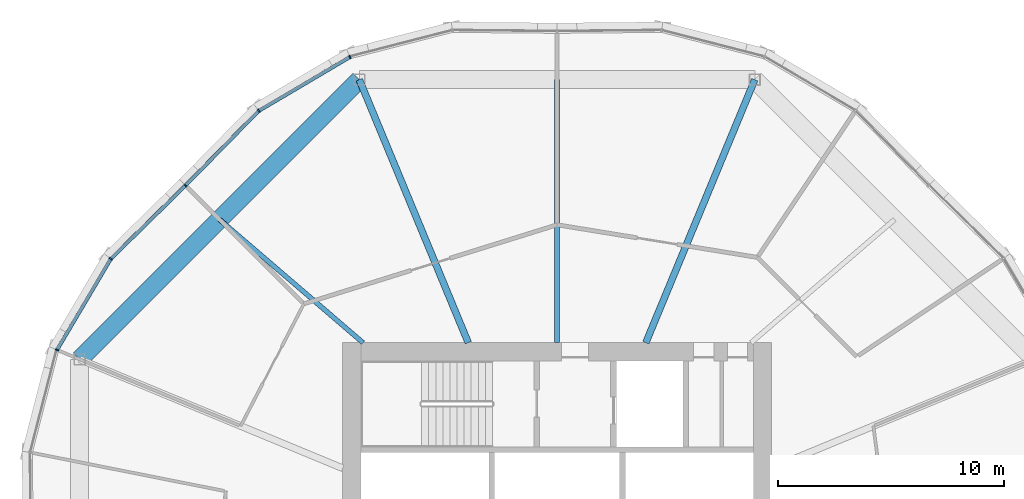
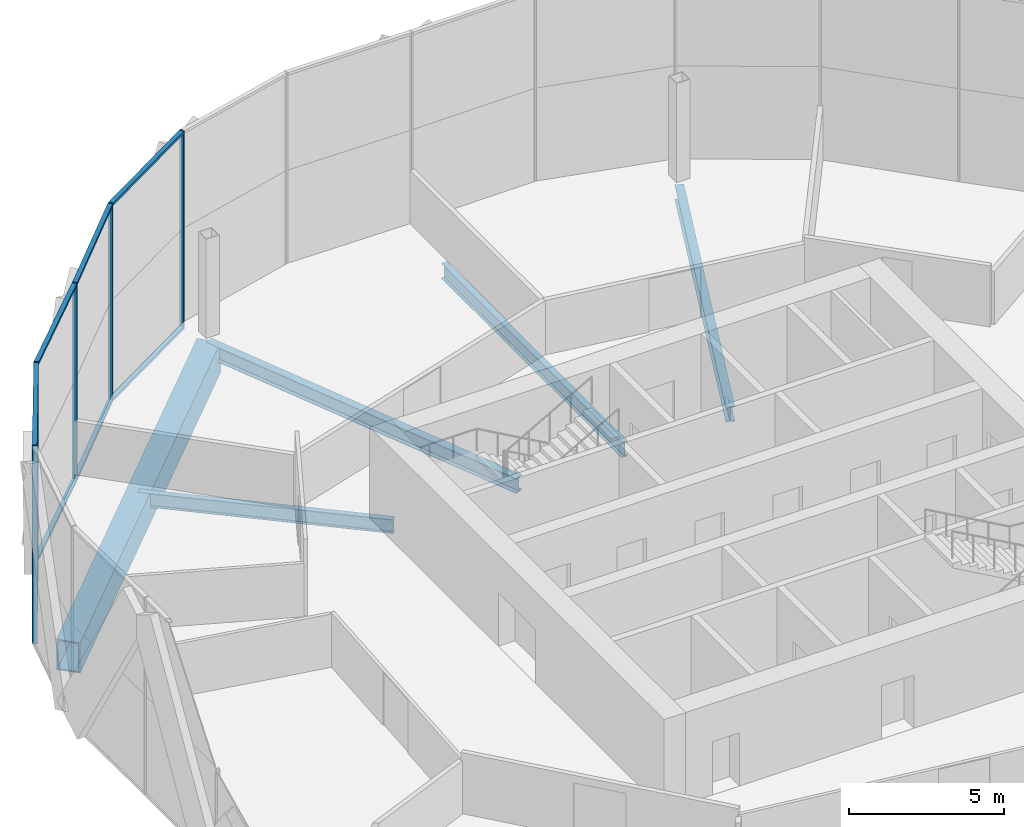
# One storey, part 7 of 31: 13 members, 5 beams, 2 elements without a shape of their own.
"""IFC4 building model written with IfcOpenShell, lengths in metres."""

from ifc_helpers import new_model, si_unit, direction, frame, origin, origin_2d, place, context, subcontext, project, spatial, rectangle, hollow_rectangle, i_section, extrude, material, material_profile, profile_set, type_object, element, aggregate, save


model = new_model("IFC4")

# Units and contexts
model_context = context("Model", 3, precision=1e-05, world=origin(), true_north=direction((0.0, 1.0)))
body_context = subcontext(model_context, "Body", "Model", "MODEL_VIEW")
ifc_project = project(units=[si_unit("LENGTHUNIT", "METRE"), si_unit("AREAUNIT", "SQUARE_METRE"), si_unit("VOLUMEUNIT", "CUBIC_METRE"), si_unit("PLANEANGLEUNIT", "RADIAN"), si_unit("MASSUNIT", "GRAM", prefix="KILO")], contexts=[model_context])

# Site, building, storey
site_placement = place(None, origin())
site = spatial("IfcSite", under=ifc_project, at=site_placement, CompositionType="ELEMENT")
building_placement = place(site_placement, origin())
building = spatial("IfcBuilding", under=site, at=building_placement, Name="Ogive Gate Towers", CompositionType="ELEMENT")
storey_placement = place(building_placement, frame((0.0, 0.0, 63.60009765625)))
storey = spatial("IfcBuildingStorey", under=building, at=storey_placement, Name="L14", CompositionType="ELEMENT", Elevation=63.60009765625)

# Beams
ifc_material_1 = material(Name="Steel SM460", Category="steel")
ifc_material_profile_1 = material_profile(ifc_material_1, hollow_rectangle(XDim=0.800048828125, YDim=1.199951171875, WallThickness=0.050048828125, at=origin_2d()), Name="BX 1200x800x50")
ifc_profile_set_1 = profile_set([ifc_material_profile_1], Name="Steel SM460")
beam_type_1 = type_object("IfcBeamType", Name="Edge girder BX 1200x800x50", PredefinedType="BEAM", material=ifc_profile_set_1)
beam_1_placement = place(storey_placement, frame((-44.763427734375, 21.15673828125, -0.900146484375), z_axis=(-0.707106781187, -0.707106781187, 0.0), x_axis=(0.707106781187, -0.707106781187, 0.0)))
element("IfcBeam", 1, at=beam_1_placement, inside=storey, type_object=beam_type_1, Name="T1/L14/SBM023", PredefinedType="BEAM", context=body_context, shape_type="SweptSolid", body=[
    extrude(hollow_rectangle(XDim=0.800048828125, YDim=1.199951171875, WallThickness=0.050048828125, at=origin_2d()), origin(), (0.0, 0.0, 1.0), 17.52685546875),
])
ifc_material_2 = material(Name="Steel SM355", Category="steel")
ifc_material_profile_2 = material_profile(ifc_material_2, i_section(OverallWidth=0.300048828125, OverallDepth=0.590087890625, WebThickness=0.012939453125, FlangeThickness=0.02490234375, FilletRadius=0.027099609375, at=origin_2d()), Name="HE 600 A")
ifc_profile_set_2 = profile_set([ifc_material_profile_2], Name="Steel SM355")
beam_type_2 = type_object("IfcBeamType", Name="Radial floor beam HE 600 A", PredefinedType="BEAM", material=ifc_profile_set_2)
for number, where, z_axis, x_axis, name in (
    (2, (-32.06494140625, 9.5, -0.59521484375), (0.382682759347, 0.923879811284, 0.0), (-0.923879811284, 0.382682759347, 0.0), "T1/L14/SBM011"),
    (3, (-39.93505859375, 9.5, -0.59521484375), (-0.382682759347, 0.923879811284, 0.0), (-0.923879811284, -0.382682759347, 0.0), "T1/L14/SBM013"),
):
    element("IfcBeam", number, at=place(storey_placement, frame(where, z_axis=z_axis, x_axis=x_axis)), inside=storey, type_object=beam_type_2, Name=name, PredefinedType="BEAM", context=body_context, shape_type="SweptSolid", body=[
        extrude(i_section(OverallWidth=0.300048828125, OverallDepth=0.590087890625, WebThickness=0.012939453125, FlangeThickness=0.02490234375, FilletRadius=0.027099609375, at=origin_2d()), origin(), (0.0, 0.0, 1.0), 12.6171875),
    ])
ifc_material_profile_3 = material_profile(ifc_material_2, i_section(OverallWidth=0.2099609375, OverallDepth=0.550048828125, WebThickness=0.010986328125, FlangeThickness=0.01708984375, FilletRadius=0.02392578125, at=origin_2d()), Name="IPE 550")
ifc_profile_set_3 = profile_set([ifc_material_profile_3], Name="Steel SM355")
beam_type_3 = type_object("IfcBeamType", Name="Radial floor beam IPE 550", PredefinedType="BEAM", material=ifc_profile_set_3)
beam_2_placement = place(storey_placement, frame((-44.60009765625, 9.5, -0.5751953125), z_axis=(-0.75874444664, 0.651388413078, 0.0), x_axis=(-0.651388413078, -0.75874444664, 0.0)))
element("IfcBeam", 4, at=beam_2_placement, inside=storey, type_object=beam_type_3, Name="T1/L14/SBM014", PredefinedType="BEAM", context=body_context, shape_type="SweptSolid", body=[
    extrude(i_section(OverallWidth=0.2099609375, OverallDepth=0.550048828125, WebThickness=0.010986328125, FlangeThickness=0.01708984375, FilletRadius=0.02392578125, at=origin_2d()), origin(), (0.0, 0.0, 1.0), 8.38232421875),
])
ifc_material_profile_4 = material_profile(ifc_material_2, i_section(OverallWidth=0.219970703125, OverallDepth=0.60009765625, WebThickness=0.011962890625, FlangeThickness=0.01904296875, FilletRadius=0.02392578125, at=origin_2d()), Name="IPE 600")
ifc_profile_set_4 = profile_set([ifc_material_profile_4], Name="Steel SM355")
beam_type_4 = type_object("IfcBeamType", Name="Radial floor beam IPE 600", PredefinedType="BEAM", material=ifc_profile_set_4)
beam_3_placement = place(storey_placement, frame((-36.0, 9.5, -0.60009765625), z_axis=(0.0, 1.0, 0.0), x_axis=(-1.0, 0.0, 0.0)))
element("IfcBeam", 5, at=beam_3_placement, inside=storey, type_object=beam_type_4, Name="T1/L14/SBM012", PredefinedType="BEAM", context=body_context, shape_type="SweptSolid", body=[
    extrude(i_section(OverallWidth=0.219970703125, OverallDepth=0.60009765625, WebThickness=0.011962890625, FlangeThickness=0.01904296875, FilletRadius=0.02392578125, at=origin_2d()), origin(), (0.0, 0.0, 1.0), 11.65673828125),
])

# Curtain wall, members
ifc_material_3 = material(Name="Pale metal aluminium", Category="aluminium")
curtain_wall_type = type_object("IfcCurtainWallType", Name="Tower unitised wall, low zone", PredefinedType="NOTDEFINED", material=ifc_material_3)
curtain_wall_1_placement = place(storey_placement, origin())
curtain_wall_1 = element("IfcCurtainWall", 6, at=curtain_wall_1_placement, inside=storey, type_object=curtain_wall_type, Name="CW1 T1 ECW03", PredefinedType="NOTDEFINED")
ifc_material_profile_5 = material_profile(ifc_material_3, rectangle(XDim=0.159912109375, YDim=0.06005859375, at=origin_2d()), Name="60 x 160 aluminium box")
ifc_profile_set_5 = profile_set([ifc_material_profile_5], Name="Pale metal aluminium")
member_type_1 = type_object("IfcMemberType", Name="Tower unitised wall, low zone mullion 60 x 160", PredefinedType="MULLION", material=ifc_profile_set_5)
member_1_placement = place(storey_placement, frame((-45.180908203125, 22.164794921875, -0.300048828125), z_axis=(0.0, 0.0, 1.0), x_axis=(-0.382683432365, 0.923879532511, 0.0)))
member_1 = element("IfcMember", 7, at=member_1_placement, type_object=member_type_1, Name="CW1 mullion", PredefinedType="MULLION", context=body_context, shape_type="SweptSolid", body=[
    extrude(rectangle(XDim=0.159912109375, YDim=0.06005859375, at=origin_2d()), origin(), (0.0, 0.0, 1.0), 7.800048828125),
])
member_2_placement = place(storey_placement, frame((-49.222412109375, 19.77783203125, -0.300048828125), z_axis=(0.0, 0.0, 1.0), x_axis=(-0.616458855912, 0.787387121413, 0.0)))
member_2 = element("IfcMember", 8, at=member_2_placement, type_object=member_type_1, Name="CW1 mullion", PredefinedType="MULLION", context=body_context, shape_type="SweptSolid", body=[
    extrude(rectangle(XDim=0.159912109375, YDim=0.06005859375, at=origin_2d()), origin(), (0.0, 0.0, 1.0), 7.800048828125),
])
member_3_placement = place(storey_placement, frame((-52.468505859375, 16.46875, -0.300048828125), z_axis=(0.0, 0.0, 1.0), x_axis=(-0.713849613797, 0.700299028189, 0.0)))
member_3 = element("IfcMember", 9, at=member_3_placement, type_object=member_type_1, Name="CW1 mullion", PredefinedType="MULLION", context=body_context, shape_type="SweptSolid", body=[
    extrude(rectangle(XDim=0.159912109375, YDim=0.06005859375, at=origin_2d()), origin(), (0.0, 0.0, 1.0), 7.800048828125),
])

curtain_wall_2_placement = place(storey_placement, origin())
curtain_wall_2 = element("IfcCurtainWall", 10, at=curtain_wall_2_placement, inside=storey, type_object=curtain_wall_type, Name="CW1 T1 ECW04", PredefinedType="NOTDEFINED")
member_4_placement = place(storey_placement, frame((-55.77783203125, 13.222412109375, -0.300048828125), z_axis=(0.0, 0.0, 1.0), x_axis=(-0.787387121413, 0.616458855912, 0.0)))
member_4 = element("IfcMember", 11, at=member_4_placement, type_object=member_type_1, Name="CW1 mullion", PredefinedType="MULLION", context=body_context, shape_type="SweptSolid", body=[
    extrude(rectangle(XDim=0.159912109375, YDim=0.06005859375, at=origin_2d()), origin(), (0.0, 0.0, 1.0), 7.800048828125),
])
member_5_placement = place(storey_placement, frame((-58.164794921875, 9.180908203125, -0.300048828125), z_axis=(0.0, 0.0, 1.0), x_axis=(-0.923879532511, 0.382683432365, 0.0)))
member_5 = element("IfcMember", 12, at=member_5_placement, type_object=member_type_1, Name="CW1 mullion", PredefinedType="MULLION", context=body_context, shape_type="SweptSolid", body=[
    extrude(rectangle(XDim=0.159912109375, YDim=0.06005859375, at=origin_2d()), origin(), (0.0, 0.0, 1.0), 7.800048828125),
])

# Member
ifc_material_profile_6 = material_profile(ifc_material_3, rectangle(XDim=0.159912109375, YDim=0.10009765625, at=origin_2d()), Name="100 x 160 aluminium box")
ifc_profile_set_6 = profile_set([ifc_material_profile_6], Name="Pale metal aluminium")
member_type_2 = type_object("IfcMemberType", Name="Tower unitised wall, low zone transom 100 x 160", PredefinedType="USERDEFINED", material=ifc_profile_set_6)
member_6_placement = place(storey_placement, frame((-45.204345703125, 22.15087890625, 7.449951171875), z_axis=(-0.861015568373, -0.508578598665, 0.0), x_axis=(0.508578598665, -0.861015568373, 0.0)))
member_6 = element("IfcMember", 13, at=member_6_placement, type_object=member_type_2, Name="CW1 transom", ObjectType="TRANSOM", PredefinedType="USERDEFINED", context=body_context, shape_type="SweptSolid", body=[
    extrude(rectangle(XDim=0.159912109375, YDim=0.10009765625, at=origin_2d()), origin(), (0.0, 0.0, 1.0), 4.63916015625),
])

member_7_placement = place(storey_placement, frame((-45.204345703125, 22.15087890625, -0.25), z_axis=(-0.861015568373, -0.508578598665, 0.0), x_axis=(0.508578598665, -0.861015568373, 0.0)))
member_7 = element("IfcMember", 14, at=member_7_placement, type_object=member_type_2, Name="CW1 transom", ObjectType="TRANSOM", PredefinedType="USERDEFINED", context=body_context, shape_type="SweptSolid", body=[
    extrude(rectangle(XDim=0.159912109375, YDim=0.10009765625, at=origin_2d()), origin(), (0.0, 0.0, 1.0), 4.63916015625),
])

member_8_placement = place(storey_placement, frame((-49.241455078125, 19.75830078125, 7.449951171875), z_axis=(-0.70027504726, -0.71387313872, 0.0), x_axis=(0.71387313872, -0.70027504726, 0.0)))
member_8 = element("IfcMember", 15, at=member_8_placement, type_object=member_type_2, Name="CW1 transom", ObjectType="TRANSOM", PredefinedType="USERDEFINED", context=body_context, shape_type="SweptSolid", body=[
    extrude(rectangle(XDim=0.159912109375, YDim=0.10009765625, at=origin_2d()), origin(), (0.0, 0.0, 1.0), 4.578369140625),
])

member_9_placement = place(storey_placement, frame((-49.241455078125, 19.75830078125, -0.25), z_axis=(-0.70027504726, -0.71387313872, 0.0), x_axis=(0.71387313872, -0.70027504726, 0.0)))
member_9 = element("IfcMember", 16, at=member_9_placement, type_object=member_type_2, Name="CW1 transom", ObjectType="TRANSOM", PredefinedType="USERDEFINED", context=body_context, shape_type="SweptSolid", body=[
    extrude(rectangle(XDim=0.159912109375, YDim=0.10009765625, at=origin_2d()), origin(), (0.0, 0.0, 1.0), 4.578369140625),
])

aggregate(curtain_wall_1, [member_1, member_2, member_6, member_7, member_3, member_8, member_9])

member_10_placement = place(storey_placement, frame((-52.489990234375, 16.447509765625, 7.449951171875), z_axis=(-0.71387313872, -0.70027504726, 0.0), x_axis=(0.70027504726, -0.71387313872, 0.0)))
member_10 = element("IfcMember", 17, at=member_10_placement, type_object=member_type_2, Name="CW1 transom", ObjectType="TRANSOM", PredefinedType="USERDEFINED", context=body_context, shape_type="SweptSolid", body=[
    extrude(rectangle(XDim=0.159912109375, YDim=0.10009765625, at=origin_2d()), origin(), (0.0, 0.0, 1.0), 4.578369140625),
])

member_11_placement = place(storey_placement, frame((-52.489990234375, 16.447509765625, -0.25), z_axis=(-0.71387313872, -0.70027504726, 0.0), x_axis=(0.70027504726, -0.71387313872, 0.0)))
member_11 = element("IfcMember", 18, at=member_11_placement, type_object=member_type_2, Name="CW1 transom", ObjectType="TRANSOM", PredefinedType="USERDEFINED", context=body_context, shape_type="SweptSolid", body=[
    extrude(rectangle(XDim=0.159912109375, YDim=0.10009765625, at=origin_2d()), origin(), (0.0, 0.0, 1.0), 4.578369140625),
])

member_12_placement = place(storey_placement, frame((-55.79150390625, 13.19873046875, 7.449951171875), z_axis=(-0.508578598665, -0.861015568373, 0.0), x_axis=(0.861015568373, -0.508578598665, 0.0)))
member_12 = element("IfcMember", 19, at=member_12_placement, type_object=member_type_2, Name="CW1 transom", ObjectType="TRANSOM", PredefinedType="USERDEFINED", context=body_context, shape_type="SweptSolid", body=[
    extrude(rectangle(XDim=0.159912109375, YDim=0.10009765625, at=origin_2d()), origin(), (0.0, 0.0, 1.0), 4.63916015625),
])

member_13_placement = place(storey_placement, frame((-55.79150390625, 13.19873046875, -0.25), z_axis=(-0.508578598665, -0.861015568373, 0.0), x_axis=(0.861015568373, -0.508578598665, 0.0)))
member_13 = element("IfcMember", 20, at=member_13_placement, type_object=member_type_2, Name="CW1 transom", ObjectType="TRANSOM", PredefinedType="USERDEFINED", context=body_context, shape_type="SweptSolid", body=[
    extrude(rectangle(XDim=0.159912109375, YDim=0.10009765625, at=origin_2d()), origin(), (0.0, 0.0, 1.0), 4.63916015625),
])

aggregate(curtain_wall_2, [member_4, member_10, member_11, member_5, member_12, member_13])

save(model, "model.ifc")
